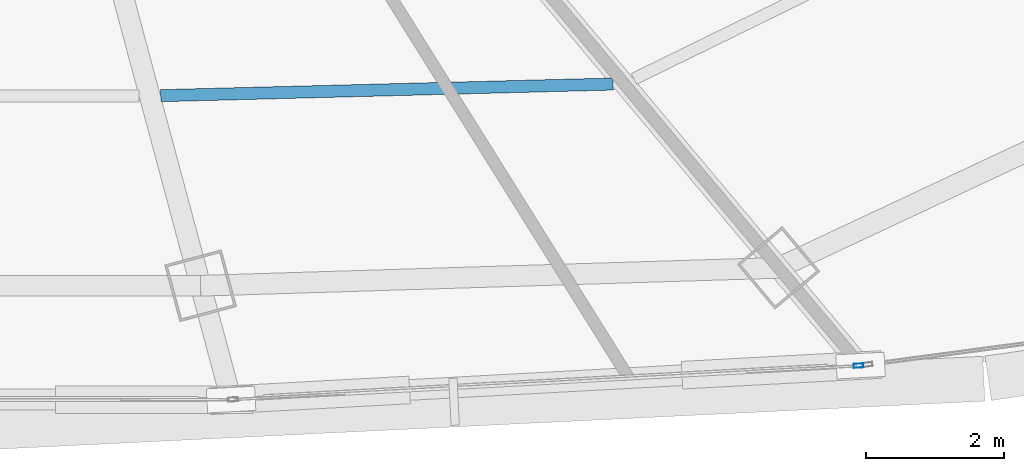
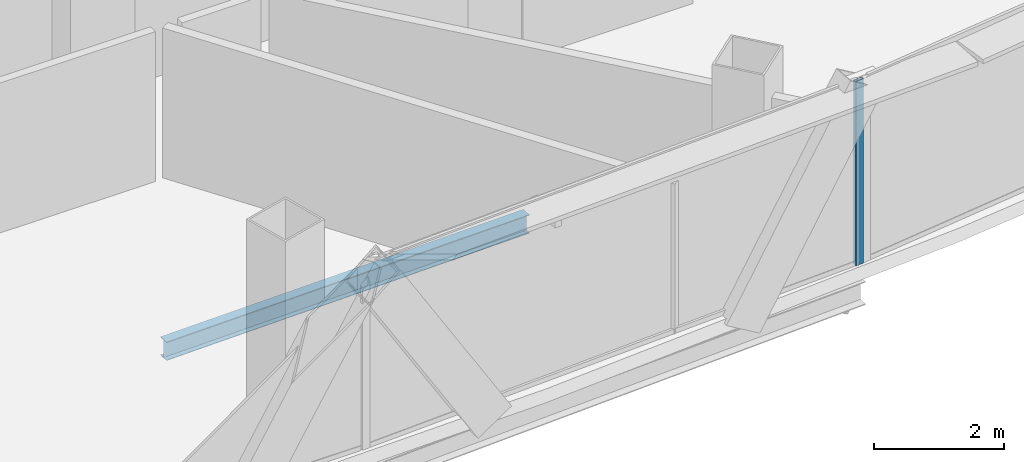
# One storey, part 12 of 37: 1 beam, 1 member, 1 element without a shape of its own.
"""IFC4 building model written with IfcOpenShell, lengths in metres."""

from ifc_helpers import new_model, si_unit, direction, frame, origin, origin_2d, place, context, subcontext, project, spatial, hollow_rectangle, i_section, extrude, source, transform, mapped, material, layer, layer_set, material_profile, profile_set, type_object, element, aggregate, save


model = new_model("IFC4")

# Units and contexts
model_context = context("Model", 3, precision=1e-05, world=origin(), true_north=direction((0.0, 1.0)))
body_context = subcontext(model_context, "Body", "Model", "MODEL_VIEW")
ifc_project = project(units=[si_unit("LENGTHUNIT", "METRE"), si_unit("AREAUNIT", "SQUARE_METRE"), si_unit("VOLUMEUNIT", "CUBIC_METRE"), si_unit("PLANEANGLEUNIT", "RADIAN"), si_unit("MASSUNIT", "GRAM", prefix="KILO"), si_unit("THERMODYNAMICTEMPERATUREUNIT", "KELVIN"), si_unit("POWERUNIT", "WATT")], contexts=[model_context])

# Site, building, storey
site_placement = place(None, origin())
site = spatial("IfcSite", under=ifc_project, at=site_placement, CompositionType="ELEMENT")
building_placement = place(site_placement, origin())
building = spatial("IfcBuilding", under=site, at=building_placement, Name="Yunzhuo Pagoda Commons", CompositionType="ELEMENT")
storey_placement = place(building_placement, frame((0.0, 0.0, 251.989990234375)))
storey = spatial("IfcBuildingStorey", under=building, at=storey_placement, Name="L63", CompositionType="ELEMENT", Elevation=251.989990234375)

# Beam
ifc_material_1 = material(Name="Structural steel Q355B", Category="steel")
ifc_material_profile_1 = material_profile(ifc_material_1, i_section(OverallWidth=0.175048828125, OverallDepth=0.35009765625, WebThickness=0.007080078125, FlangeThickness=0.010986328125, at=origin_2d()), Name="Structural steel Q355B")
ifc_profile_set_1 = profile_set([ifc_material_profile_1], Name="Structural steel Q355B")
beam_type = type_object("IfcBeamType", Name="B-JS2 Joist HN 350x175x7x11", PredefinedType="JOIST", material=ifc_profile_set_1)
shared_shape_1 = source(origin(), body_context, "Body", "SweptSolid", [
    extrude(i_section(OverallWidth=0.175048828125, OverallDepth=0.35009765625, WebThickness=0.007080078125, FlangeThickness=0.010986328125, at=origin_2d()), origin(), (0.0, 0.0, 1.0), 6.558349609375),
])
beam_placement = place(storey_placement, frame((51.45361328125, 21.40869140625, -0.43505859375), z_axis=(0.99966910323, 0.025723220017, 0.0), x_axis=(-0.025723220017, 0.99966910323, 0.0)))
element("IfcBeam", 1, at=beam_placement, inside=storey, type_object=beam_type, Name="L63 composite ring joist 2.3", PredefinedType="JOIST", context=body_context, shape_type="MappedRepresentation", body=[
    mapped(shared_shape_1, transform((0.0, 0.0, 0.0), scale=1.0)),
])

# Curtain wall, member
ifc_material_2 = material(Name="Anodized aluminium 6063-T6", Category="aluminium")
ifc_layer = layer(ifc_material_2, 0.139892578125)
ifc_layer_set = layer_set([ifc_layer], Name="Anodized aluminium 6063-T6")
curtain_wall_type = type_object("IfcCurtainWallType", Name="CW-HI High-Zone Ribbon Curtain Wall", PredefinedType="NOTDEFINED", material=ifc_layer_set)
curtain_wall_placement = place(storey_placement, origin())
curtain_wall = element("IfcCurtainWall", 2, at=curtain_wall_placement, inside=storey, type_object=curtain_wall_type, Name="L63 curtain wall CW-L63-F1B4", PredefinedType="NOTDEFINED")
ifc_material_profile_2 = material_profile(ifc_material_2, hollow_rectangle(XDim=0.06005859375, YDim=0.139892578125, WallThickness=0.00341796875, at=origin_2d()), Name="Anodized aluminium 6063-T6")
ifc_profile_set_2 = profile_set([ifc_material_profile_2], Name="Anodized aluminium 6063-T6")
member_type = type_object("IfcMemberType", Name="CW-HI-M Mullion RHS 140x60x3.5", PredefinedType="MULLION", material=ifc_profile_set_2)
shared_shape_2 = source(origin(), body_context, "Body", "SweptSolid", [
    extrude(hollow_rectangle(XDim=0.06005859375, YDim=0.139892578125, WallThickness=0.00341796875, at=origin_2d()), origin(), (0.0, 0.0, 1.0), 3.469970703125),
])
member_placement = place(storey_placement, frame((61.5654296875, 17.495849609375, 0.0), z_axis=(0.0, 0.0, 1.0), x_axis=(-0.053988827702, 0.998541539688, 0.0)))
member = element("IfcMember", 3, at=member_placement, type_object=member_type, Name="CW mullion 2", PredefinedType="MULLION", context=body_context, shape_type="MappedRepresentation", body=[
    mapped(shared_shape_2, transform((0.0, 0.0, 0.0), scale=1.0)),
])
aggregate(curtain_wall, [member])

save(model, "model.ifc")
